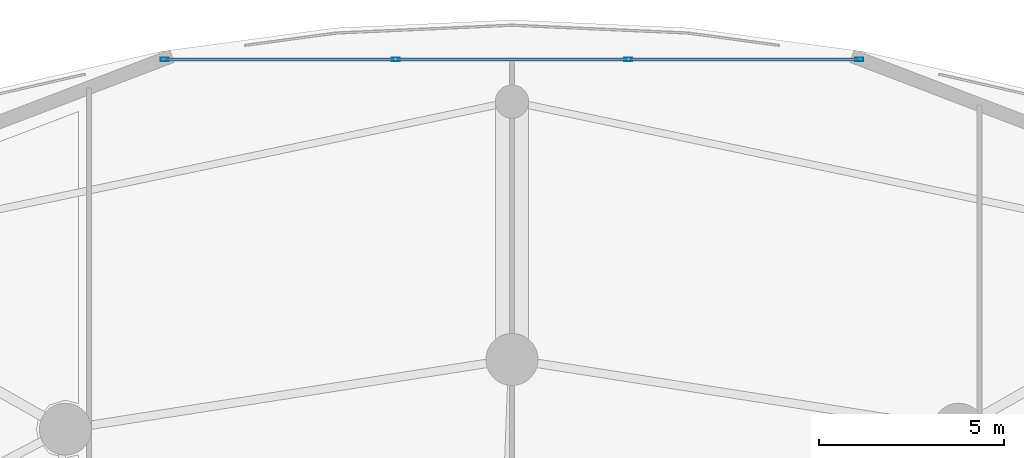
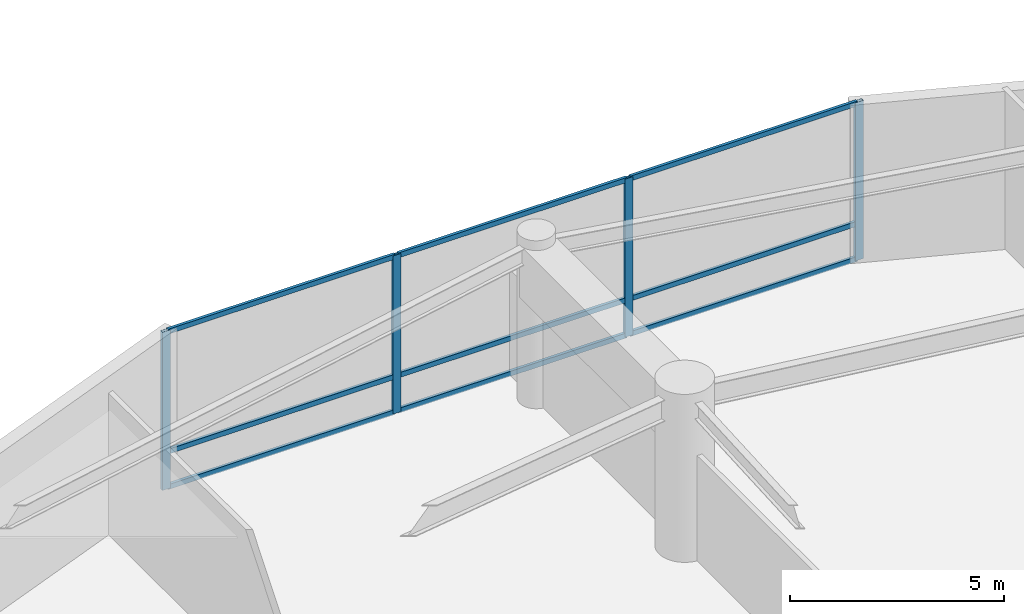
# One storey, part 22 of 36: 13 members, 1 element without a shape of its own.
"""IFC4 building model written with IfcOpenShell, lengths in metres."""

from ifc_helpers import new_model, si_unit, direction, frame, origin, origin_2d, place, context, subcontext, project, spatial, hollow_rectangle, extrude, material, layer, layer_set, material_profile, profile_set, type_object, element, aggregate, save


model = new_model("IFC4")

# Units and contexts
model_context = context("Model", 3, precision=1e-05, world=origin(), true_north=direction((0.0, 1.0)))
body_context = subcontext(model_context, "Body", "Model", "MODEL_VIEW")
ifc_project = project(units=[si_unit("LENGTHUNIT", "METRE"), si_unit("AREAUNIT", "SQUARE_METRE"), si_unit("VOLUMEUNIT", "CUBIC_METRE"), si_unit("PLANEANGLEUNIT", "RADIAN"), si_unit("MASSUNIT", "GRAM", prefix="KILO")], contexts=[model_context])

# Site, building, storey
site_placement = place(None, origin())
site = spatial("IfcSite", under=ifc_project, at=site_placement, CompositionType="ELEMENT")
building_placement = place(site_placement, origin())
building = spatial("IfcBuilding", under=site, at=building_placement, Name="Kazevale Care Tower and Concert Hall", CompositionType="ELEMENT")
storey_placement = place(building_placement, frame((0.0, 0.0, 14.39990234375)))
storey = spatial("IfcBuildingStorey", under=building, at=storey_placement, Name="L03", CompositionType="ELEMENT", Elevation=14.39990234375)

# Curtain wall, members
ifc_material_1 = material(Name="Aluminium 6063-T6 and Low-E Glass", Category="aluminium")
ifc_layer = layer(ifc_material_1, 0.179931640625)
ifc_layer_set = layer_set([ifc_layer], Name="Aluminium 6063-T6 and Low-E Glass")
curtain_wall_type = type_object("IfcCurtainWallType", Name="Podium Double-Skin Medical Curtain Wall CW-1", PredefinedType="NOTDEFINED", material=ifc_layer_set)
curtain_wall_placement = place(storey_placement, origin())
curtain_wall = element("IfcCurtainWall", 1, at=curtain_wall_placement, inside=storey, type_object=curtain_wall_type, Name="cw:L03:pod:04", PredefinedType="NOTDEFINED")
ifc_material_2 = material(Name="Aluminium 6063-T6", Category="aluminium")
ifc_material_profile_1 = material_profile(ifc_material_2, hollow_rectangle(XDim=0.090087890625, YDim=0.219970703125, WallThickness=0.0048828125, at=origin_2d()), Name="ALU90x220x5")
ifc_profile_set_1 = profile_set([ifc_material_profile_1], Name="Aluminium 6063-T6")
member_type_1 = type_object("IfcMemberType", Name="CW-1 Mullion ALU90x220x5", PredefinedType="MULLION", material=ifc_profile_set_1)
member_1_placement = place(storey_placement, frame((54.363037109375, 70.738037109375, 0.0), z_axis=(0.0, 0.0, 1.0), x_axis=(0.0, -1.0, 0.0)))
member_1 = element("IfcMember", 2, at=member_1_placement, type_object=member_type_1, Name="CW-1 mullion 1", PredefinedType="MULLION", context=body_context, shape_type="SweptSolid", body=[
    extrude(hollow_rectangle(XDim=0.090087890625, YDim=0.219970703125, WallThickness=0.0048828125, at=origin_2d()), origin(), (0.0, 0.0, 1.0), 4.52001953125),
])
member_2_placement = place(storey_placement, frame((48.135986328125, 70.738037109375, 0.0), z_axis=(0.0, 0.0, 1.0), x_axis=(0.0, -1.0, 0.0)))
member_2 = element("IfcMember", 3, at=member_2_placement, type_object=member_type_1, Name="CW-1 mullion 2", PredefinedType="MULLION", context=body_context, shape_type="SweptSolid", body=[
    extrude(hollow_rectangle(XDim=0.090087890625, YDim=0.219970703125, WallThickness=0.0048828125, at=origin_2d()), origin(), (0.0, 0.0, 1.0), 4.52001953125),
])
member_3_placement = place(storey_placement, frame((41.864013671875, 70.738037109375, 0.0), z_axis=(0.0, 0.0, 1.0), x_axis=(0.0, -1.0, 0.0)))
member_3 = element("IfcMember", 4, at=member_3_placement, type_object=member_type_1, Name="CW-1 mullion 3", PredefinedType="MULLION", context=body_context, shape_type="SweptSolid", body=[
    extrude(hollow_rectangle(XDim=0.090087890625, YDim=0.219970703125, WallThickness=0.0048828125, at=origin_2d()), origin(), (0.0, 0.0, 1.0), 4.52001953125),
])
member_4_placement = place(storey_placement, frame((35.636962890625, 70.738037109375, 0.0), z_axis=(0.0, 0.0, 1.0), x_axis=(0.0, -1.0, 0.0)))
member_4 = element("IfcMember", 5, at=member_4_placement, type_object=member_type_1, Name="CW-1 mullion 4", PredefinedType="MULLION", context=body_context, shape_type="SweptSolid", body=[
    extrude(hollow_rectangle(XDim=0.090087890625, YDim=0.219970703125, WallThickness=0.0048828125, at=origin_2d()), origin(), (0.0, 0.0, 1.0), 4.52001953125),
])
ifc_material_profile_2 = material_profile(ifc_material_2, hollow_rectangle(XDim=0.080078125, YDim=0.139892578125, WallThickness=0.00390625, at=origin_2d()), Name="ALU80x140x4")
ifc_profile_set_2 = profile_set([ifc_material_profile_2], Name="Aluminium 6063-T6")
member_type_2 = type_object("IfcMemberType", Name="CW-1 Transom ALU80x140x4", PredefinedType="USERDEFINED", material=ifc_profile_set_2)
member_5_placement = place(storey_placement, frame((54.318115234375, 70.738037109375, 0.0400390625), z_axis=(-1.0, 0.0, 0.0), x_axis=(0.0, -1.0, 0.0)))
member_5 = element("IfcMember", 6, at=member_5_placement, type_object=member_type_2, Name="CW-1 transom 1.1", ObjectType="TRANSOM", PredefinedType="USERDEFINED", context=body_context, shape_type="SweptSolid", body=[
    extrude(hollow_rectangle(XDim=0.080078125, YDim=0.139892578125, WallThickness=0.00390625, at=origin_2d()), origin(), (0.0, 0.0, 1.0), 6.13720703125),
])
member_6_placement = place(storey_placement, frame((54.318115234375, 70.738037109375, 1.050048828125), z_axis=(-1.0, 0.0, 0.0), x_axis=(0.0, -1.0, 0.0)))
member_6 = element("IfcMember", 7, at=member_6_placement, type_object=member_type_2, Name="CW-1 transom 1.2", ObjectType="TRANSOM", PredefinedType="USERDEFINED", context=body_context, shape_type="SweptSolid", body=[
    extrude(hollow_rectangle(XDim=0.080078125, YDim=0.139892578125, WallThickness=0.00390625, at=origin_2d()), origin(), (0.0, 0.0, 1.0), 6.13720703125),
])
member_7_placement = place(storey_placement, frame((54.318115234375, 70.738037109375, 4.47998046875), z_axis=(-1.0, 0.0, 0.0), x_axis=(0.0, -1.0, 0.0)))
member_7 = element("IfcMember", 8, at=member_7_placement, type_object=member_type_2, Name="CW-1 transom 1.3", ObjectType="TRANSOM", PredefinedType="USERDEFINED", context=body_context, shape_type="SweptSolid", body=[
    extrude(hollow_rectangle(XDim=0.080078125, YDim=0.139892578125, WallThickness=0.00390625, at=origin_2d()), origin(), (0.0, 0.0, 1.0), 6.13720703125),
])
member_8_placement = place(storey_placement, frame((48.091064453125, 70.738037109375, 0.0400390625), z_axis=(-1.0, 0.0, 0.0), x_axis=(0.0, -1.0, 0.0)))
member_8 = element("IfcMember", 9, at=member_8_placement, type_object=member_type_2, Name="CW-1 transom 2.1", ObjectType="TRANSOM", PredefinedType="USERDEFINED", context=body_context, shape_type="SweptSolid", body=[
    extrude(hollow_rectangle(XDim=0.080078125, YDim=0.139892578125, WallThickness=0.00390625, at=origin_2d()), origin(), (0.0, 0.0, 1.0), 6.18212890625),
])
member_9_placement = place(storey_placement, frame((48.091064453125, 70.738037109375, 1.050048828125), z_axis=(-1.0, 0.0, 0.0), x_axis=(0.0, -1.0, 0.0)))
member_9 = element("IfcMember", 10, at=member_9_placement, type_object=member_type_2, Name="CW-1 transom 2.2", ObjectType="TRANSOM", PredefinedType="USERDEFINED", context=body_context, shape_type="SweptSolid", body=[
    extrude(hollow_rectangle(XDim=0.080078125, YDim=0.139892578125, WallThickness=0.00390625, at=origin_2d()), origin(), (0.0, 0.0, 1.0), 6.18212890625),
])
member_10_placement = place(storey_placement, frame((48.091064453125, 70.738037109375, 4.47998046875), z_axis=(-1.0, 0.0, 0.0), x_axis=(0.0, -1.0, 0.0)))
member_10 = element("IfcMember", 11, at=member_10_placement, type_object=member_type_2, Name="CW-1 transom 2.3", ObjectType="TRANSOM", PredefinedType="USERDEFINED", context=body_context, shape_type="SweptSolid", body=[
    extrude(hollow_rectangle(XDim=0.080078125, YDim=0.139892578125, WallThickness=0.00390625, at=origin_2d()), origin(), (0.0, 0.0, 1.0), 6.18212890625),
])
member_11_placement = place(storey_placement, frame((41.819091796875, 70.738037109375, 0.0400390625), z_axis=(-1.0, 0.0, 0.0), x_axis=(0.0, -1.0, 0.0)))
member_11 = element("IfcMember", 12, at=member_11_placement, type_object=member_type_2, Name="CW-1 transom 3.1", ObjectType="TRANSOM", PredefinedType="USERDEFINED", context=body_context, shape_type="SweptSolid", body=[
    extrude(hollow_rectangle(XDim=0.080078125, YDim=0.139892578125, WallThickness=0.00390625, at=origin_2d()), origin(), (0.0, 0.0, 1.0), 6.13720703125),
])
member_12_placement = place(storey_placement, frame((41.819091796875, 70.738037109375, 1.050048828125), z_axis=(-1.0, 0.0, 0.0), x_axis=(0.0, -1.0, 0.0)))
member_12 = element("IfcMember", 13, at=member_12_placement, type_object=member_type_2, Name="CW-1 transom 3.2", ObjectType="TRANSOM", PredefinedType="USERDEFINED", context=body_context, shape_type="SweptSolid", body=[
    extrude(hollow_rectangle(XDim=0.080078125, YDim=0.139892578125, WallThickness=0.00390625, at=origin_2d()), origin(), (0.0, 0.0, 1.0), 6.13720703125),
])
member_13_placement = place(storey_placement, frame((41.819091796875, 70.738037109375, 4.47998046875), z_axis=(-1.0, 0.0, 0.0), x_axis=(0.0, -1.0, 0.0)))
member_13 = element("IfcMember", 14, at=member_13_placement, type_object=member_type_2, Name="CW-1 transom 3.3", ObjectType="TRANSOM", PredefinedType="USERDEFINED", context=body_context, shape_type="SweptSolid", body=[
    extrude(hollow_rectangle(XDim=0.080078125, YDim=0.139892578125, WallThickness=0.00390625, at=origin_2d()), origin(), (0.0, 0.0, 1.0), 6.13720703125),
])
aggregate(curtain_wall, [member_1, member_2, member_3, member_4, member_5, member_6, member_7, member_8, member_9, member_10, member_11, member_12, member_13])

save(model, "model.ifc")
